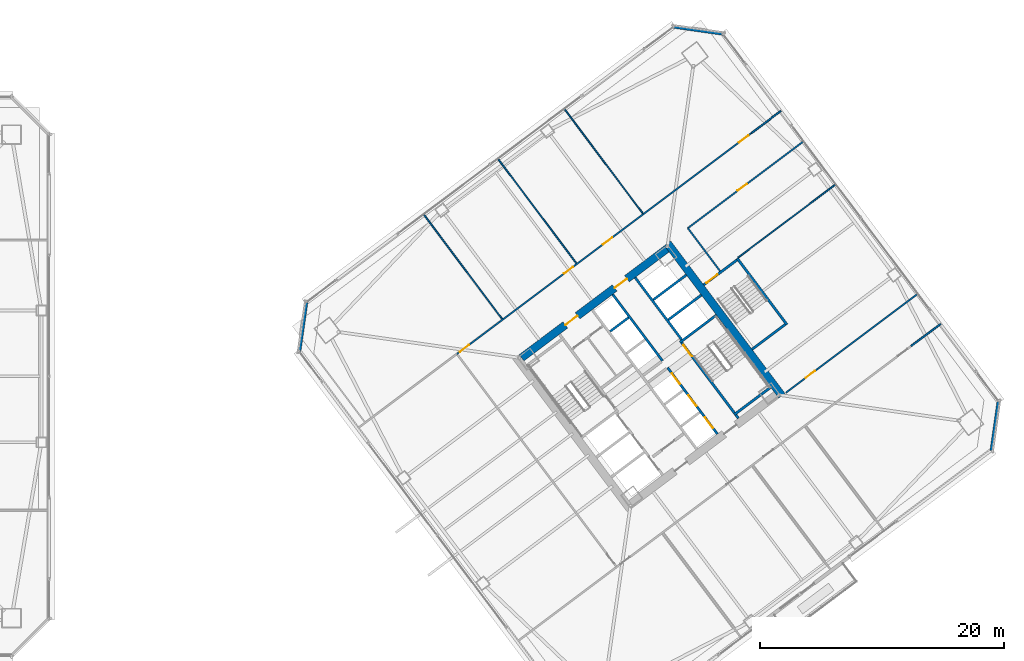
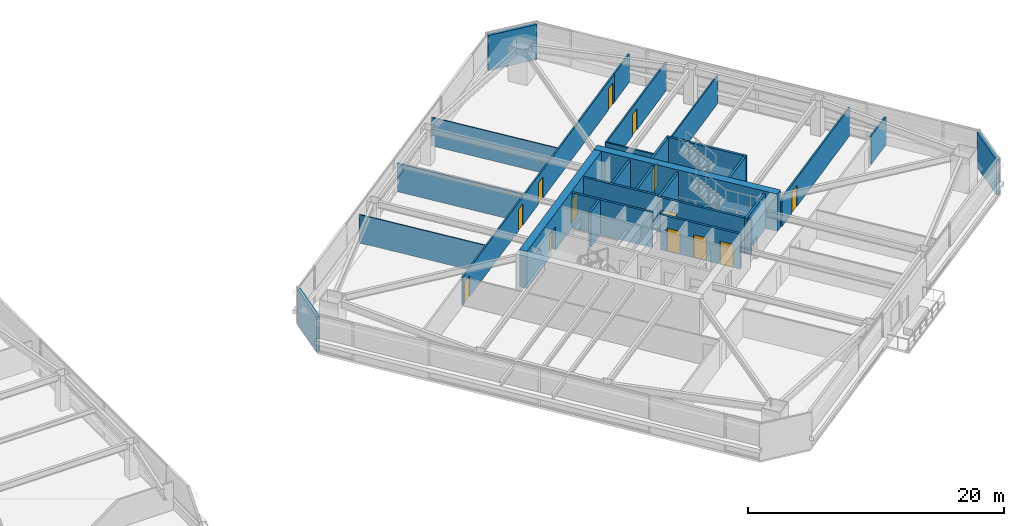
# One storey, part 40 of 48: 27 walls, 13 doors, 13 openings.
"""IFC4 building model written with IfcOpenShell, lengths in metres."""

from ifc_helpers import new_model, si_unit, direction, frame, frame_2d, origin, place, context, subcontext, project, spatial, rectangle, extrude, material, layer, layer_set, type_object, element, fill, save


model = new_model("IFC4")

# Units and contexts
model_context = context("Model", 3, precision=1e-05, world=origin(), true_north=direction((0.0, 1.0)))
body_context = subcontext(model_context, "Body", "Model", "MODEL_VIEW")
ifc_project = project(units=[si_unit("LENGTHUNIT", "METRE"), si_unit("AREAUNIT", "SQUARE_METRE"), si_unit("VOLUMEUNIT", "CUBIC_METRE"), si_unit("PLANEANGLEUNIT", "RADIAN"), si_unit("MASSUNIT", "GRAM", prefix="KILO")], contexts=[model_context])

# Site, building, storey
site_placement = place(None, origin())
site = spatial("IfcSite", under=ifc_project, at=site_placement, CompositionType="ELEMENT")
building_placement = place(site_placement, origin())
building = spatial("IfcBuilding", under=site, at=building_placement, Name="Tashvorn Skyway Center", CompositionType="ELEMENT")
storey_placement = place(building_placement, frame((0.0, 0.0, 53.0)))
storey = spatial("IfcBuildingStorey", under=building, at=storey_placement, Name="L13", CompositionType="ELEMENT", Elevation=53.0)

# Wall
ifc_material_1 = material(Name="Concrete C60/75", Category="concrete")
ifc_layer_1 = layer(ifc_material_1, 0.64990234375)
ifc_layer_set_1 = layer_set([ifc_layer_1], Name="Concrete C60/75")
wall_type_1 = type_object("IfcWallType", Name="WALL-CORE-650", PredefinedType="SHEAR", material=ifc_layer_set_1)
wall_1_placement = place(storey_placement, frame((115.52392578125, 42.89306640625, 0.0), z_axis=(0.0, 0.0, 1.0), x_axis=(0.600005007985, -0.799996243986, 0.0)))
element("IfcWall", 1, at=wall_1_placement, inside=storey, type_object=wall_type_1, Name="Tower 2 L13 East Core Shear Wall", PredefinedType="SHEAR", context=body_context, shape_type="SweptSolid", body=[
    extrude(rectangle(XDim=15.60009765625, YDim=0.64990234375, at=frame_2d((7.800048828125, 0.0))), origin(), (0.0, 0.0, 1.0), 3.550048828125),
])

# Wall, openings, doors
wall_2_placement = place(storey_placement, frame((103.571044921875, 33.52197265625, 0.0), z_axis=(0.0, 0.0, 1.0), x_axis=(0.799998028465, 0.600002628705, 0.0)))
wall_2 = element("IfcWall", 2, at=wall_2_placement, inside=storey, type_object=wall_type_1, Name="Tower 2 L13 North Core Shear Wall", PredefinedType="SHEAR", context=body_context, shape_type="SweptSolid", body=[
    extrude(rectangle(XDim=14.85986328125, YDim=0.64990234375, at=frame_2d((7.429931640625, 0.0))), origin(), (0.0, 0.0, 1.0), 3.550048828125),
])
opening_1_placement = place(wall_2_placement, frame((4.47998046875, 0.0, 0.0)))
opening_1 = element("IfcOpeningElement", 3, at=opening_1_placement, cuts=wall_2, Name="Opening D-FFL-1250", PredefinedType="OPENING", context=body_context, shape_type="SweptSolid", body=[
    extrude(rectangle(XDim=1.25, YDim=2.25, at=frame_2d((0.625, 1.125))), frame((0.0, 0.3349609375, 0.0), z_axis=(0.0, -1.0, 0.0), x_axis=(1.0, 0.0, 0.0)), (0.0, 0.0, 1.0), 0.669921875),
])
opening_2_placement = place(wall_2_placement, frame((9.530029296875, 0.0, 0.0)))
opening_2 = element("IfcOpeningElement", 4, at=opening_2_placement, cuts=wall_2, Name="Opening D-FFL-1250", PredefinedType="OPENING", context=body_context, shape_type="SweptSolid", body=[
    extrude(rectangle(XDim=1.25, YDim=2.25, at=frame_2d((0.625, 1.125))), frame((0.0, 0.3349609375, 0.0), z_axis=(0.0, -1.0, 0.0), x_axis=(1.0, 0.0, 0.0)), (0.0, 0.0, 1.0), 0.669921875),
])
ifc_material_2 = material(Name="Hollow galvanized steel fire door assembly", Category="steel")
door_type_1 = type_object("IfcDoorType", Name="DOOR-FFL-1250", OperationType="NOTDEFINED", PredefinedType="DOOR", material=ifc_material_2)
door_1_placement = place(opening_1_placement, origin())
door_1 = element("IfcDoor", 5, at=door_1_placement, inside=storey, type_object=door_type_1, Name="Tower 2 L13 Core North Service Lobby Door", OperationType="SINGLE_SWING_LEFT", OverallHeight=2.25, OverallWidth=1.25, PredefinedType="DOOR", context=body_context, shape_type="SweptSolid", body=[
    extrude(rectangle(XDim=1.25, YDim=2.25, at=frame_2d((0.625, 1.125))), frame((0.0, 0.02490234375, 0.0), z_axis=(0.0, -1.0, 0.0), x_axis=(1.0, 0.0, 0.0)), (0.0, 0.0, 1.0), 0.050048828125),
])
fill(opening_1, door_1)
door_2_placement = place(opening_2_placement, origin())
door_2 = element("IfcDoor", 6, at=door_2_placement, inside=storey, type_object=door_type_1, Name="Tower 2 L13 Core North Lift Lobby Door", OperationType="SINGLE_SWING_RIGHT", OverallHeight=2.25, OverallWidth=1.25, PredefinedType="DOOR", context=body_context, shape_type="SweptSolid", body=[
    extrude(rectangle(XDim=1.25, YDim=2.25, at=frame_2d((0.625, 1.125))), frame((0.0, 0.02490234375, 0.0), z_axis=(0.0, -1.0, 0.0), x_axis=(1.0, 0.0, 0.0)), (0.0, 0.0, 1.0), 0.050048828125),
])
fill(opening_2, door_2)

# Walls
ifc_material_3 = material(Name="Precast concrete C40/50", Category="concrete")
ifc_layer_2 = layer(ifc_material_3, 0.280029296875)
ifc_layer_set_2 = layer_set([ifc_layer_2], Name="Precast concrete C40/50")
wall_type_2 = type_object("IfcWallType", Name="WALL-EXT-280", PredefinedType="SOLIDWALL", material=ifc_layer_set_2)
for number, where, z_axis, x_axis, name in (
    (7, (85.360107421875, 34.02001953125, 0.0), (0.0, 0.0, 1.0), (0.14137968631, 0.989955445613, 0.0), "Tower 2 L13 NW Precast Chamfer Wall"),
    (8, (116.02001953125, 60.639892578125, 0.0), (0.0, 0.0, 1.0), (0.989955445613, -0.14137968631, 0.0), "Tower 2 L13 NE Precast Chamfer Wall"),
    (9, (142.639892578125, 29.97998046875, 0.0), (0.0, 0.0, 1.0), (-0.14137968631, -0.989955445613, 0.0), "Tower 2 L13 SE Precast Chamfer Wall"),
):
    element("IfcWall", number, at=place(storey_placement, frame(where, z_axis=z_axis, x_axis=x_axis)), inside=storey, type_object=wall_type_2, Name=name, PredefinedType="SOLIDWALL", context=body_context, shape_type="SweptSolid", body=[
        extrude(rectangle(XDim=4.101318359375, YDim=0.280029296875, at=frame_2d((2.05078125, 0.0))), origin(), (0.0, 0.0, 1.0), 3.35009765625),
    ])
ifc_material_4 = material(Name="Gypsum board on cold-formed steel stud framing", Category="steel")
ifc_layer_3 = layer(ifc_material_4, 0.110107421875)
ifc_layer_set_3 = layer_set([ifc_layer_3], Name="Gypsum board on cold-formed steel stud framing")
wall_type_3 = type_object("IfcWallType", Name="WALL-PART-110", PredefinedType="PARTITIONING", material=ifc_layer_set_3)
wall_3_placement = place(storey_placement, frame((101.971923828125, 36.7041015625, 0.0), z_axis=(0.0, 0.0, 1.0), x_axis=(-0.600003650761, 0.799997261916, 0.0)))
element("IfcWall", 10, at=wall_3_placement, inside=storey, type_object=wall_type_3, Name="Tower 2 L13 North Suite Partition 1", PredefinedType="PARTITIONING", context=body_context, shape_type="SweptSolid", body=[
    extrude(rectangle(XDim=10.69970703125, YDim=0.110107421875, at=frame_2d((5.349853515625, 0.0))), origin(), (0.0, 0.0, 1.0), 2.702880859375),
])
for number, where, z_axis, x_axis, name in (
    (11, (108.052001953125, 41.263916015625, 0.0), (0.0, 0.0, 1.0), (-0.599992698573, 0.800005476018, 0.0), "Tower 2 L13 North Suite Partition 2"),
    (12, (113.491943359375, 45.343994140625, 0.0), (0.0, 0.0, 1.0), (-0.599992698573, 0.800005476018, 0.0), "Tower 2 L13 North Suite Partition 3"),
):
    element("IfcWall", number, at=place(storey_placement, frame(where, z_axis=z_axis, x_axis=x_axis)), inside=storey, type_object=wall_type_3, Name=name, PredefinedType="PARTITIONING", context=body_context, shape_type="SweptSolid", body=[
        extrude(rectangle(XDim=10.699951171875, YDim=0.110107421875, at=frame_2d((5.35009765625, 0.0))), origin(), (0.0, 0.0, 1.0), 2.702880859375),
    ])
wall_4_placement = place(storey_placement, frame((129.303955078125, 47.72802734375, 0.0), z_axis=(0.0, 0.0, 1.0), x_axis=(-0.8, -0.6, 0.0)))
element("IfcWall", 13, at=wall_4_placement, inside=storey, type_object=wall_type_3, Name="Tower 2 L13 East Suite Partition 1", PredefinedType="PARTITIONING", context=body_context, shape_type="SweptSolid", body=[
    extrude(rectangle(XDim=10.0, YDim=0.110107421875, at=frame_2d((5.0, 0.0))), origin(), (0.0, 0.0, 1.0), 2.702880859375),
])
ifc_layer_4 = layer(ifc_material_4, 0.135009765625)
ifc_layer_set_4 = layer_set([ifc_layer_4], Name="Gypsum board on cold-formed steel stud framing")
wall_type_4 = type_object("IfcWallType", Name="WALL-PART-135", PredefinedType="PARTITIONING", material=ifc_layer_set_4)
wall_5_placement = place(storey_placement, frame((119.823974609375, 40.617919921875, 0.0), z_axis=(0.0, 0.0, 1.0), x_axis=(-0.599982243973, 0.800013316712, 0.0)))
element("IfcWall", 14, at=wall_5_placement, inside=storey, type_object=wall_type_4, Name="Tower 2 L13 Stair 3 Access Corridor Wall", PredefinedType="PARTITIONING", context=body_context, shape_type="SweptSolid", body=[
    extrude(rectangle(XDim=4.39990234375, YDim=0.135009765625, at=frame_2d((2.199951171875, 0.0))), origin(), (0.0, 0.0, 1.0), 2.702880859375),
])

# Wall, openings, doors
wall_6_placement = place(storey_placement, frame((98.27587890625, 33.83203125, 0.0), z_axis=(0.0, 0.0, 1.0), x_axis=(0.800001944698, 0.59999740706, 0.0)))
wall_6 = element("IfcWall", 15, at=wall_6_placement, inside=storey, type_object=wall_type_4, Name="Tower 2 L13 North Suite Wall", PredefinedType="PARTITIONING", context=body_context, shape_type="SweptSolid", body=[
    extrude(rectangle(XDim=30.1298828125, YDim=0.135009765625, at=frame_2d((15.06494140625, 0.0))), origin(), (0.0, 0.0, 1.0), 2.702880859375),
])
opening_3_placement = place(wall_6_placement, frame((0.300048828125, 0.0, 0.0)))
opening_3 = element("IfcOpeningElement", 16, at=opening_3_placement, cuts=wall_6, Name="Opening D-INT-950", PredefinedType="OPENING", context=body_context, shape_type="SweptSolid", body=[
    extrude(rectangle(XDim=0.949951171875, YDim=2.050048828125, at=frame_2d((0.47509765625, 1.02490234375))), frame((0.0, 0.077392578125, 0.0), z_axis=(0.0, -1.0, 0.0), x_axis=(1.0, 0.0, 0.0)), (0.0, 0.0, 1.0), 0.155029296875),
])
opening_4_placement = place(wall_6_placement, frame((10.949951171875, 0.0, 0.0)))
opening_4 = element("IfcOpeningElement", 17, at=opening_4_placement, cuts=wall_6, Name="Opening D-INT-950", PredefinedType="OPENING", context=body_context, shape_type="SweptSolid", body=[
    extrude(rectangle(XDim=0.949951171875, YDim=2.050048828125, at=frame_2d((0.47509765625, 1.02490234375))), frame((0.0, 0.077392578125, 0.0), z_axis=(0.0, -1.0, 0.0), x_axis=(1.0, 0.0, 0.0)), (0.0, 0.0, 1.0), 0.155029296875),
])
opening_5_placement = place(wall_6_placement, frame((14.950439453125, 0.0, 0.0)))
opening_5 = element("IfcOpeningElement", 18, at=opening_5_placement, cuts=wall_6, Name="Opening D-INT-950", PredefinedType="OPENING", context=body_context, shape_type="SweptSolid", body=[
    extrude(rectangle(XDim=0.949951171875, YDim=2.050048828125, at=frame_2d((0.47509765625, 1.02490234375))), frame((0.0, 0.077392578125, 0.0), z_axis=(0.0, -1.0, 0.0), x_axis=(1.0, 0.0, 0.0)), (0.0, 0.0, 1.0), 0.155029296875),
])
opening_6_placement = place(wall_6_placement, frame((28.8798828125, 0.0, 0.0)))
opening_6 = element("IfcOpeningElement", 19, at=opening_6_placement, cuts=wall_6, Name="Opening D-INT-950", PredefinedType="OPENING", context=body_context, shape_type="SweptSolid", body=[
    extrude(rectangle(XDim=0.949951171875, YDim=2.050048828125, at=frame_2d((0.47509765625, 1.02490234375))), frame((0.0, 0.077392578125, 0.0), z_axis=(0.0, -1.0, 0.0), x_axis=(1.0, 0.0, 0.0)), (0.0, 0.0, 1.0), 0.155029296875),
])
ifc_material_5 = material(Name="Solid-core architectural oak veneer door")
door_type_2 = type_object("IfcDoorType", Name="DOOR-INT-950", OperationType="NOTDEFINED", PredefinedType="DOOR", material=ifc_material_5)
door_3_placement = place(opening_3_placement, origin())
door_3 = element("IfcDoor", 20, at=door_3_placement, inside=storey, type_object=door_type_2, Name="Tower 2 L13 Gallery Showroom Door", OperationType="SINGLE_SWING_LEFT", OverallHeight=2.050048828125, OverallWidth=0.949951171875, PredefinedType="DOOR", context=body_context, shape_type="SweptSolid", body=[
    extrude(rectangle(XDim=0.949951171875, YDim=2.050048828125, at=frame_2d((0.47509765625, 1.02490234375))), frame((0.0, 0.02490234375, 0.0), z_axis=(0.0, -1.0, 0.0), x_axis=(1.0, 0.0, 0.0)), (0.0, 0.0, 1.0), 0.050048828125),
])
fill(opening_3, door_3)
door_4_placement = place(opening_4_placement, origin())
door_4 = element("IfcDoor", 21, at=door_4_placement, inside=storey, type_object=door_type_2, Name="Tower 2 L13 Gallery Showroom Door", OperationType="SINGLE_SWING_RIGHT", OverallHeight=2.050048828125, OverallWidth=0.949951171875, PredefinedType="DOOR", context=body_context, shape_type="SweptSolid", body=[
    extrude(rectangle(XDim=0.949951171875, YDim=2.050048828125, at=frame_2d((0.47509765625, 1.02490234375))), frame((0.0, 0.02490234375, 0.0), z_axis=(0.0, -1.0, 0.0), x_axis=(1.0, 0.0, 0.0)), (0.0, 0.0, 1.0), 0.050048828125),
])
fill(opening_4, door_4)
door_5_placement = place(opening_5_placement, origin())
door_5 = element("IfcDoor", 22, at=door_5_placement, inside=storey, type_object=door_type_2, Name="Tower 2 L13 Corporate Office Door", OperationType="SINGLE_SWING_LEFT", OverallHeight=2.050048828125, OverallWidth=0.949951171875, PredefinedType="DOOR", context=body_context, shape_type="SweptSolid", body=[
    extrude(rectangle(XDim=0.949951171875, YDim=2.050048828125, at=frame_2d((0.47509765625, 1.02490234375))), frame((0.0, 0.02490234375, 0.0), z_axis=(0.0, -1.0, 0.0), x_axis=(1.0, 0.0, 0.0)), (0.0, 0.0, 1.0), 0.050048828125),
])
fill(opening_5, door_5)
door_6_placement = place(opening_6_placement, origin())
door_6 = element("IfcDoor", 23, at=door_6_placement, inside=storey, type_object=door_type_2, Name="Tower 2 L13 Conference Room Door", OperationType="SINGLE_SWING_RIGHT", OverallHeight=2.050048828125, OverallWidth=0.949951171875, PredefinedType="DOOR", context=body_context, shape_type="SweptSolid", body=[
    extrude(rectangle(XDim=0.949951171875, YDim=2.050048828125, at=frame_2d((0.47509765625, 1.02490234375))), frame((0.0, 0.02490234375, 0.0), z_axis=(0.0, -1.0, 0.0), x_axis=(1.0, 0.0, 0.0)), (0.0, 0.0, 1.0), 0.050048828125),
])
fill(opening_6, door_6)

# Walls
for number, where, z_axis, x_axis, name in (
    (24, (122.3798828125, 51.909912109375, 0.0), (0.0, 0.0, 1.0), (0.799990331366, 0.600012891296, 0.0), "Tower 2 L13 North-East Suite South Wall"),
    (25, (135.4599609375, 34.469970703125, 0.0), (0.0, 0.0, 1.0), (0.799990331366, 0.600012891296, 0.0), "Tower 2 L13 South-East Suite North Wall"),
):
    element("IfcWall", number, at=place(storey_placement, frame(where, z_axis=z_axis, x_axis=x_axis)), inside=storey, type_object=wall_type_4, Name=name, PredefinedType="PARTITIONING", context=body_context, shape_type="SweptSolid", body=[
        extrude(rectangle(XDim=3.030029296875, YDim=0.135009765625, at=frame_2d((1.51513671875, 0.0))), origin(), (0.0, 0.0, 1.0), 2.702880859375),
    ])

# Wall, opening, door
wall_7_placement = place(storey_placement, frame((126.6640625, 51.248046875, 0.0), z_axis=(0.0, 0.0, 1.0), x_axis=(-0.799995055373, -0.600006592779, 0.0)))
wall_7 = element("IfcWall", 26, at=wall_7_placement, inside=storey, type_object=wall_type_4, Name="Tower 2 L13 East Suite North Wall", PredefinedType="PARTITIONING", context=body_context, shape_type="SweptSolid", body=[
    extrude(rectangle(XDim=11.85009765625, YDim=0.135009765625, at=frame_2d((5.925048828125, 0.0))), origin(), (0.0, 0.0, 1.0), 2.702880859375),
])
opening_7_placement = place(wall_7_placement, frame((5.800048828125, 0.0, 0.0)))
opening_7 = element("IfcOpeningElement", 27, at=opening_7_placement, cuts=wall_7, Name="Opening D-INT-950", PredefinedType="OPENING", context=body_context, shape_type="SweptSolid", body=[
    extrude(rectangle(XDim=0.949951171875, YDim=2.050048828125, at=frame_2d((0.47509765625, 1.02490234375))), frame((0.0, 0.077392578125, 0.0), z_axis=(0.0, -1.0, 0.0), x_axis=(1.0, 0.0, 0.0)), (0.0, 0.0, 1.0), 0.155029296875),
])
door_7_placement = place(opening_7_placement, origin())
door_7 = element("IfcDoor", 28, at=door_7_placement, inside=storey, type_object=door_type_2, Name="Tower 2 L13 Conference Room Door", OperationType="SINGLE_SWING_LEFT", OverallHeight=2.050048828125, OverallWidth=0.949951171875, PredefinedType="DOOR", context=body_context, shape_type="SweptSolid", body=[
    extrude(rectangle(XDim=0.949951171875, YDim=2.050048828125, at=frame_2d((0.47509765625, 1.02490234375))), frame((0.0, 0.02490234375, 0.0), z_axis=(0.0, -1.0, 0.0), x_axis=(1.0, 0.0, 0.0)), (0.0, 0.0, 1.0), 0.050048828125),
])
fill(opening_7, door_7)

wall_8_placement = place(storey_placement, frame((125.2080078125, 30.656005859375, 0.0), z_axis=(0.0, 0.0, 1.0), x_axis=(0.799995666112, 0.600005778473, 0.0)))
wall_8 = element("IfcWall", 29, at=wall_8_placement, inside=storey, type_object=wall_type_4, Name="Tower 2 L13 East Suite South Wall", PredefinedType="PARTITIONING", context=body_context, shape_type="SweptSolid", body=[
    extrude(rectangle(XDim=13.52001953125, YDim=0.135009765625, at=frame_2d((6.760009765625, 0.0))), origin(), (0.0, 0.0, 1.0), 2.702880859375),
])
opening_8_placement = place(wall_8_placement, frame((2.044921875, 0.0, 0.0)))
opening_8 = element("IfcOpeningElement", 30, at=opening_8_placement, cuts=wall_8, Name="Opening D-INT-950", PredefinedType="OPENING", context=body_context, shape_type="SweptSolid", body=[
    extrude(rectangle(XDim=0.949951171875, YDim=2.050048828125, at=frame_2d((0.47509765625, 1.02490234375))), frame((0.0, 0.077392578125, 0.0), z_axis=(0.0, -1.0, 0.0), x_axis=(1.0, 0.0, 0.0)), (0.0, 0.0, 1.0), 0.155029296875),
])
door_8_placement = place(opening_8_placement, origin())
door_8 = element("IfcDoor", 31, at=door_8_placement, inside=storey, type_object=door_type_2, Name="Tower 2 L13 Public Restroom Door", OperationType="SINGLE_SWING_RIGHT", OverallHeight=2.050048828125, OverallWidth=0.949951171875, PredefinedType="DOOR", context=body_context, shape_type="SweptSolid", body=[
    extrude(rectangle(XDim=0.949951171875, YDim=2.050048828125, at=frame_2d((0.47509765625, 1.02490234375))), frame((0.0, 0.02490234375, 0.0), z_axis=(0.0, -1.0, 0.0), x_axis=(1.0, 0.0, 0.0)), (0.0, 0.0, 1.0), 0.050048828125),
])
fill(opening_8, door_8)

# Walls
ifc_material_6 = material(Name="Concrete C40/50", Category="concrete")
ifc_layer_5 = layer(ifc_material_6, 0.199951171875)
ifc_layer_set_5 = layer_set([ifc_layer_5], Name="Concrete C40/50")
wall_type_5 = type_object("IfcWallType", Name="WALL-SHAFT-200", PredefinedType="SOLIDWALL", material=ifc_layer_set_5)
for number, where, z_axis, x_axis, name in (
    (32, (115.590087890625, 36.6298828125, 0.0), (0.0, 0.0, 1.0), (0.799973995579, 0.600034670996, 0.0), "Tower 2 L13 High-Rise Shaft Divider"),
    (33, (114.360107421875, 38.27001953125, 0.0), (0.0, 0.0, 1.0), (0.799973995579, 0.600034670996, 0.0), "Tower 2 L13 High-Rise Shaft Divider"),
):
    element("IfcWall", number, at=place(storey_placement, frame(where, z_axis=z_axis, x_axis=x_axis)), inside=storey, type_object=wall_type_5, Name=name, PredefinedType="SOLIDWALL", context=body_context, shape_type="SweptSolid", body=[
        extrude(rectangle(XDim=3.3798828125, YDim=0.199951171875, at=frame_2d((1.68994140625, 0.0))), origin(), (0.0, 0.0, 1.0), 3.35009765625),
    ])

# Wall, openings, doors
wall_9_placement = place(storey_placement, frame((119.610107421875, 27.27001953125, 0.0), z_axis=(0.0, 0.0, 1.0), x_axis=(-0.600011488909, 0.79999138319, 0.0)))
wall_9 = element("IfcWall", 34, at=wall_9_placement, inside=storey, type_object=wall_type_5, Name="Tower 2 L13 Low-Rise Core Wall", PredefinedType="SOLIDWALL", context=body_context, shape_type="SweptSolid", body=[
    extrude(rectangle(XDim=6.800048828125, YDim=0.199951171875, at=frame_2d((3.39990234375, 0.0))), origin(), (0.0, 0.0, 1.0), 3.35009765625),
])
opening_9_placement = place(wall_9_placement, frame((0.625, 0.0, 0.0)))
opening_9 = element("IfcOpeningElement", 35, at=opening_9_placement, cuts=wall_9, Name="Opening LD-LR-T2-1-L13", PredefinedType="OPENING", context=body_context, shape_type="SweptSolid", body=[
    extrude(rectangle(XDim=1.10009765625, YDim=2.199951171875, at=frame_2d((0.550048828125, 1.10009765625))), frame((0.0, 0.10986328125, 0.0), z_axis=(0.0, -1.0, 0.0), x_axis=(1.0, 0.0, 0.0)), (0.0, 0.0, 1.0), 0.219970703125),
])
opening_10_placement = place(wall_9_placement, frame((2.875, 0.0, 0.0)))
opening_10 = element("IfcOpeningElement", 36, at=opening_10_placement, cuts=wall_9, Name="Opening LD-LR-T2-2-L13", PredefinedType="OPENING", context=body_context, shape_type="SweptSolid", body=[
    extrude(rectangle(XDim=1.10009765625, YDim=2.199951171875, at=frame_2d((0.550048828125, 1.10009765625))), frame((0.0, 0.10986328125, 0.0), z_axis=(0.0, -1.0, 0.0), x_axis=(1.0, 0.0, 0.0)), (0.0, 0.0, 1.0), 0.219970703125),
])
opening_11_placement = place(wall_9_placement, frame((5.125, 0.0, 0.0)))
opening_11 = element("IfcOpeningElement", 37, at=opening_11_placement, cuts=wall_9, Name="Opening LD-LR-T2-3-L13", PredefinedType="OPENING", context=body_context, shape_type="SweptSolid", body=[
    extrude(rectangle(XDim=1.10009765625, YDim=2.199951171875, at=frame_2d((0.550048828125, 1.10009765625))), frame((0.0, 0.10986328125, 0.0), z_axis=(0.0, -1.0, 0.0), x_axis=(1.0, 0.0, 0.0)), (0.0, 0.0, 1.0), 0.219970703125),
])
ifc_material_7 = material(Name="Stainless steel landing door", Category="steel")
door_type_3 = type_object("IfcDoorType", Name="DOOR-LIFT-1100", OperationType="SLIDING_TO_LEFT", PredefinedType="DOOR", material=ifc_material_7)
door_9_placement = place(opening_9_placement, origin())
door_9 = element("IfcDoor", 38, at=door_9_placement, inside=storey, type_object=door_type_3, Name="Lift LR-T2-1 L13 Landing Door", OperationType="SLIDING_TO_LEFT", OverallHeight=2.199951171875, OverallWidth=1.10009765625, PredefinedType="DOOR", context=body_context, shape_type="SweptSolid", body=[
    extrude(rectangle(XDim=1.10009765625, YDim=2.199951171875, at=frame_2d((0.550048828125, 1.10009765625))), frame((0.0, 0.02490234375, 0.0), z_axis=(0.0, -1.0, 0.0), x_axis=(1.0, 0.0, 0.0)), (0.0, 0.0, 1.0), 0.050048828125),
])
fill(opening_9, door_9)
door_10_placement = place(opening_10_placement, origin())
door_10 = element("IfcDoor", 39, at=door_10_placement, inside=storey, type_object=door_type_3, Name="Lift LR-T2-2 L13 Landing Door", OperationType="SLIDING_TO_LEFT", OverallHeight=2.199951171875, OverallWidth=1.10009765625, PredefinedType="DOOR", context=body_context, shape_type="SweptSolid", body=[
    extrude(rectangle(XDim=1.10009765625, YDim=2.199951171875, at=frame_2d((0.550048828125, 1.10009765625))), frame((0.0, 0.02490234375, 0.0), z_axis=(0.0, -1.0, 0.0), x_axis=(1.0, 0.0, 0.0)), (0.0, 0.0, 1.0), 0.050048828125),
])
fill(opening_10, door_10)
door_11_placement = place(opening_11_placement, origin())
door_11 = element("IfcDoor", 40, at=door_11_placement, inside=storey, type_object=door_type_3, Name="Lift LR-T2-3 L13 Landing Door", OperationType="SLIDING_TO_LEFT", OverallHeight=2.199951171875, OverallWidth=1.10009765625, PredefinedType="DOOR", context=body_context, shape_type="SweptSolid", body=[
    extrude(rectangle(XDim=1.10009765625, YDim=2.199951171875, at=frame_2d((0.550048828125, 1.10009765625))), frame((0.0, 0.02490234375, 0.0), z_axis=(0.0, -1.0, 0.0), x_axis=(1.0, 0.0, 0.0)), (0.0, 0.0, 1.0), 0.050048828125),
])
fill(opening_11, door_11)

# Walls
wall_10_placement = place(storey_placement, frame((115.110107421875, 33.27001953125, 0.0), z_axis=(0.0, 0.0, 1.0), x_axis=(-0.600011488909, 0.79999138319, 0.0)))
element("IfcWall", 41, at=wall_10_placement, inside=storey, type_object=wall_type_5, Name="Tower 2 L13 Mid-Rise Core Wall", PredefinedType="SOLIDWALL", context=body_context, shape_type="SweptSolid", body=[
    extrude(rectangle(XDim=6.800048828125, YDim=0.199951171875, at=frame_2d((3.39990234375, 0.0))), origin(), (0.0, 0.0, 1.0), 3.35009765625),
])
wall_11_placement = place(storey_placement, frame((110.825927734375, 35.681884765625, 0.0), z_axis=(0.0, 0.0, 1.0), x_axis=(0.799984418148, 0.600020775241, 0.0)))
element("IfcWall", 42, at=wall_11_placement, inside=storey, type_object=wall_type_5, Name="Tower 2 L13 Mid-Rise Shaft Divider", PredefinedType="SOLIDWALL", context=body_context, shape_type="SweptSolid", body=[
    extrude(rectangle(XDim=1.880126953125, YDim=0.199951171875, at=frame_2d((0.93994140625, 0.0))), origin(), (0.0, 0.0, 1.0), 3.35009765625),
])

# Wall, opening, door
ifc_layer_6 = layer(ifc_material_6, 0.199951171875)
ifc_layer_set_6 = layer_set([ifc_layer_6], Name="Concrete C40/50")
wall_type_6 = type_object("IfcWallType", Name="WALL-STSHF-200", PredefinedType="SHEAR", material=ifc_layer_set_6)
wall_12_placement = place(storey_placement, frame((116.56005859375, 34.919921875, 0.0), z_axis=(0.0, 0.0, 1.0), x_axis=(0.600009827119, -0.799992629566, 0.0)))
wall_12 = element("IfcWall", 43, at=wall_12_placement, inside=storey, type_object=wall_type_6, Name="Tower 2 L13 Stair 2 Enclosure Wall", PredefinedType="SHEAR", context=body_context, shape_type="SweptSolid", body=[
    extrude(rectangle(XDim=7.949951171875, YDim=0.199951171875, at=frame_2d((3.97509765625, 0.0))), origin(), (0.0, 0.0, 1.0), 3.35009765625),
])
opening_12_placement = place(wall_12_placement, frame((0.449951171875, 0.0, 0.0)))
opening_12 = element("IfcOpeningElement", 44, at=opening_12_placement, cuts=wall_12, Name="Opening D-ST-1150", PredefinedType="OPENING", context=body_context, shape_type="SweptSolid", body=[
    extrude(rectangle(XDim=1.14990234375, YDim=2.199951171875, at=frame_2d((0.574951171875, 1.10009765625))), frame((0.0, 0.10986328125, 0.0), z_axis=(0.0, -1.0, 0.0), x_axis=(1.0, 0.0, 0.0)), (0.0, 0.0, 1.0), 0.219970703125),
])
door_type_4 = type_object("IfcDoorType", Name="DOOR-STAIR-1150", OperationType="NOTDEFINED", PredefinedType="DOOR", material=ifc_material_2)
door_12_placement = place(opening_12_placement, origin())
door_12 = element("IfcDoor", 45, at=door_12_placement, inside=storey, type_object=door_type_4, Name="Tower 2 L13 Exit Stair 2 Door", OperationType="SINGLE_SWING_RIGHT", OverallHeight=2.199951171875, OverallWidth=1.14990234375, PredefinedType="DOOR", context=body_context, shape_type="SweptSolid", body=[
    extrude(rectangle(XDim=1.14990234375, YDim=2.199951171875, at=frame_2d((0.574951171875, 1.10009765625))), frame((0.0, 0.02490234375, 0.0), z_axis=(0.0, -1.0, 0.0), x_axis=(1.0, 0.0, 0.0)), (0.0, 0.0, 1.0), 0.050048828125),
])
fill(opening_12, door_12)

# Walls
for number, where, z_axis, x_axis, name in (
    (46, (116.5400390625, 34.780029296875, 0.0), (0.0, 0.0, 1.0), (0.799984290658, 0.600020945218, 0.0), "Tower 2 L13 Stair 2 North Wall"),
    (47, (120.97998046875, 28.860107421875, 0.0), (0.0, 0.0, 1.0), (0.800039270442, 0.59994763584, 0.0), "Tower 2 L13 Stair 2 South Wall"),
):
    element("IfcWall", number, at=place(storey_placement, frame(where, z_axis=z_axis, x_axis=x_axis)), inside=storey, type_object=wall_type_6, Name=name, PredefinedType="SHEAR", context=body_context, shape_type="SweptSolid", body=[
        extrude(rectangle(XDim=3.72998046875, YDim=0.199951171875, at=frame_2d((1.864990234375, 0.0))), origin(), (0.0, 0.0, 1.0), 3.35009765625),
    ])
wall_13_placement = place(storey_placement, frame((112.8701171875, 40.090087890625, 0.0), z_axis=(0.0, 0.0, 1.0), x_axis=(0.599975393228, -0.800018454488, 0.0)))
element("IfcWall", 48, at=wall_13_placement, inside=storey, type_object=wall_type_6, Name="Tower 2 L13 High-Rise Lift Shaft Front Wall", PredefinedType="SHEAR", context=body_context, shape_type="SweptSolid", body=[
    extrude(rectangle(XDim=6.349853515625, YDim=0.199951171875, at=frame_2d((3.1748046875, 0.0))), origin(), (0.0, 0.0, 1.0), 3.35009765625),
])
wall_14_placement = place(storey_placement, frame((125.303955078125, 36.22802734375, 0.0), z_axis=(0.0, 0.0, 1.0), x_axis=(-0.59998851072, 0.800008616831, 0.0)))
element("IfcWall", 49, at=wall_14_placement, inside=storey, type_object=wall_type_6, Name="Tower 2 L13 Stair 3 Outer Wall", PredefinedType="SHEAR", context=body_context, shape_type="SweptSolid", body=[
    extrude(rectangle(XDim=6.7998046875, YDim=0.199951171875, at=frame_2d((3.39990234375, 0.0))), origin(), (0.0, 0.0, 1.0), 3.35009765625),
])

# Wall, opening, door
wall_15_placement = place(storey_placement, frame((121.2041015625, 41.528076171875, 0.0), z_axis=(0.0, 0.0, 1.0), x_axis=(-0.800017232136, -0.599977023131, 0.0)))
wall_15 = element("IfcWall", 50, at=wall_15_placement, inside=storey, type_object=wall_type_6, Name="Tower 2 L13 Stair 3 Enclosure Wall", PredefinedType="SHEAR", context=body_context, shape_type="SweptSolid", body=[
    extrude(rectangle(XDim=3.400146484375, YDim=0.199951171875, at=frame_2d((1.7001953125, 0.0))), origin(), (0.0, 0.0, 1.0), 3.35009765625),
])
opening_13_placement = place(wall_15_placement, frame((1.97509765625, 0.0, 0.0)))
opening_13 = element("IfcOpeningElement", 51, at=opening_13_placement, cuts=wall_15, Name="Opening D-ST-1150", PredefinedType="OPENING", context=body_context, shape_type="SweptSolid", body=[
    extrude(rectangle(XDim=1.14990234375, YDim=2.199951171875, at=frame_2d((0.574951171875, 1.10009765625))), frame((0.0, 0.10986328125, 0.0), z_axis=(0.0, -1.0, 0.0), x_axis=(1.0, 0.0, 0.0)), (0.0, 0.0, 1.0), 0.219970703125),
])
door_13_placement = place(opening_13_placement, origin())
door_13 = element("IfcDoor", 52, at=door_13_placement, inside=storey, type_object=door_type_4, Name="Tower 2 L13 Exit Stair 3 Door", OperationType="SINGLE_SWING_RIGHT", OverallHeight=2.199951171875, OverallWidth=1.14990234375, PredefinedType="DOOR", context=body_context, shape_type="SweptSolid", body=[
    extrude(rectangle(XDim=1.14990234375, YDim=2.199951171875, at=frame_2d((0.574951171875, 1.10009765625))), frame((0.0, 0.02490234375, 0.0), z_axis=(0.0, -1.0, 0.0), x_axis=(1.0, 0.0, 0.0)), (0.0, 0.0, 1.0), 0.050048828125),
])
fill(opening_13, door_13)

# Wall
wall_16_placement = place(storey_placement, frame((122.444091796875, 34.2080078125, 0.0), z_axis=(0.0, 0.0, 1.0), x_axis=(0.79999138319, 0.600011488909, 0.0)))
element("IfcWall", 53, at=wall_16_placement, inside=storey, type_object=wall_type_6, Name="Tower 2 L13 Stair 3 South Wall", PredefinedType="SHEAR", context=body_context, shape_type="SweptSolid", body=[
    extrude(rectangle(XDim=3.39990234375, YDim=0.199951171875, at=frame_2d((1.699951171875, 0.0))), origin(), (0.0, 0.0, 1.0), 3.35009765625),
])

save(model, "model.ifc")
